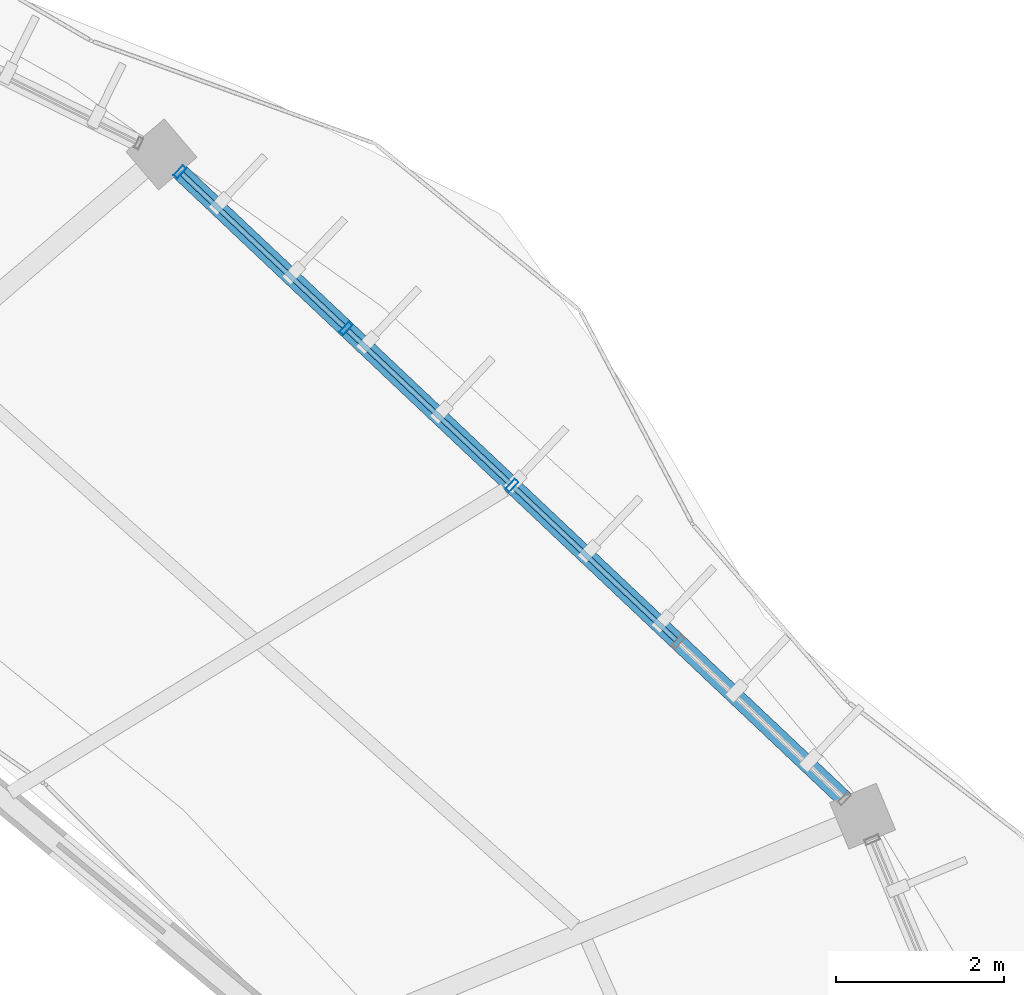
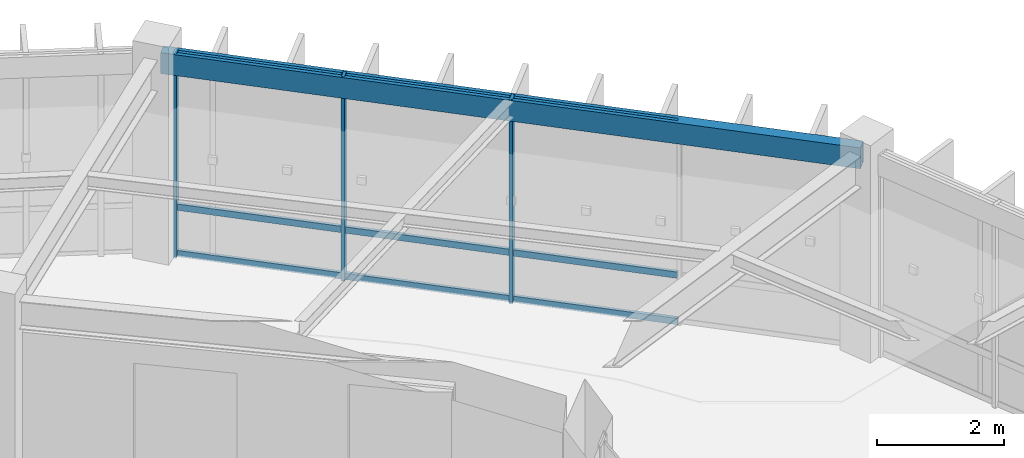
# One storey, part 61 of 83: 12 members, 1 beam, 1 element without a shape of its own.
"""IFC4 building model written with IfcOpenShell, lengths in metres."""

from ifc_helpers import new_model, si_unit, direction, frame, origin, origin_2d, place, context, subcontext, project, spatial, hollow_rectangle, extrude, material, material_profile, profile_set, type_object, element, aggregate, save


model = new_model("IFC4")

# Units and contexts
model_context = context("Model", 3, precision=1e-05, world=origin(), true_north=direction((0.0, 1.0)))
body_context = subcontext(model_context, "Body", "Model", "MODEL_VIEW")
ifc_project = project(units=[si_unit("LENGTHUNIT", "METRE"), si_unit("AREAUNIT", "SQUARE_METRE"), si_unit("VOLUMEUNIT", "CUBIC_METRE"), si_unit("PLANEANGLEUNIT", "RADIAN"), si_unit("MASSUNIT", "GRAM", prefix="KILO"), si_unit("THERMODYNAMICTEMPERATUREUNIT", "KELVIN"), si_unit("POWERUNIT", "WATT")], contexts=[model_context])

# Site, building, storey
site_placement = place(None, origin())
site = spatial("IfcSite", under=ifc_project, at=site_placement, CompositionType="ELEMENT")
building_placement = place(site_placement, origin())
building = spatial("IfcBuilding", under=site, at=building_placement, Name="Darbajah Civic Hall", CompositionType="ELEMENT")
storey_placement = place(building_placement, frame((0.0, 0.0, 18.0)))
storey = spatial("IfcBuildingStorey", under=building, at=storey_placement, Name="L04", CompositionType="ELEMENT", Elevation=18.0)

# Curtain wall, members
ifc_material_1 = material(Name="Anodised Bronze Aluminium and Low-E Glazing", Category="aluminium")
curtain_wall_type = type_object("IfcCurtainWallType", Name="Unitised Curtain Wall CW-63 10900x3900", PredefinedType="USERDEFINED", material=ifc_material_1)
curtain_wall_placement = place(storey_placement, origin())
curtain_wall = element("IfcCurtainWall", 1, at=curtain_wall_placement, inside=storey, type_object=curtain_wall_type, Name="L04 unitised curtain wall CW-V1O-L04-01", ObjectType="UNITISED CURTAIN WALL", PredefinedType="USERDEFINED")
ifc_material_2 = material(Name="Anodised Bronze Aluminium", Category="aluminium")
ifc_material_profile_1 = material_profile(ifc_material_2, hollow_rectangle(XDim=0.06005859375, YDim=0.159912109375, WallThickness=0.00341796875, at=origin_2d()), Name="ALU MULLION 60x160")
ifc_profile_set_1 = profile_set([ifc_material_profile_1], Name="Anodised Bronze Aluminium")
member_type_1 = type_object("IfcMemberType", Name="ALU MULLION 60x160", PredefinedType="MULLION", material=ifc_profile_set_1)
member_1_placement = place(storey_placement, frame((132.04931640625, 105.02392578125, 0.0), z_axis=(0.0, 0.0, 1.0), x_axis=(-0.727173991201, 0.686453193248, 0.0)))
member_1 = element("IfcMember", 2, at=member_1_placement, type_object=member_type_1, Name="CW-V1O-L04-01 mullion 3", PredefinedType="MULLION", context=body_context, shape_type="SweptSolid", body=[
    extrude(hollow_rectangle(XDim=0.06005859375, YDim=0.159912109375, WallThickness=0.00341796875, at=origin_2d()), origin(), (0.0, 0.0, 1.0), 3.919921875),
])
member_2_placement = place(storey_placement, frame((130.07470703125, 106.8876953125, 0.0), z_axis=(0.0, 0.0, 1.0), x_axis=(-0.727173991201, 0.686453193248, 0.0)))
member_2 = element("IfcMember", 3, at=member_2_placement, type_object=member_type_1, Name="CW-V1O-L04-01 mullion 4", PredefinedType="MULLION", context=body_context, shape_type="SweptSolid", body=[
    extrude(hollow_rectangle(XDim=0.06005859375, YDim=0.159912109375, WallThickness=0.00341796875, at=origin_2d()), origin(), (0.0, 0.0, 1.0), 3.919921875),
])
member_3_placement = place(storey_placement, frame((128.100341796875, 108.75146484375, 0.0), z_axis=(0.0, 0.0, 1.0), x_axis=(-0.727173991201, 0.686453193248, 0.0)))
member_3 = element("IfcMember", 4, at=member_3_placement, type_object=member_type_1, Name="CW-V1O-L04-01 mullion 5", PredefinedType="MULLION", context=body_context, shape_type="SweptSolid", body=[
    extrude(hollow_rectangle(XDim=0.06005859375, YDim=0.159912109375, WallThickness=0.00341796875, at=origin_2d()), origin(), (0.0, 0.0, 1.0), 3.919921875),
])
ifc_material_profile_2 = material_profile(ifc_material_2, hollow_rectangle(XDim=0.06005859375, YDim=0.1201171875, WallThickness=0.003173828125, at=origin_2d()), Name="ALU TRANSOM 60x120")
ifc_profile_set_2 = profile_set([ifc_material_profile_2], Name="Anodised Bronze Aluminium")
member_type_2 = type_object("IfcMemberType", Name="ALU TRANSOM 60x120", PredefinedType="USERDEFINED", material=ifc_profile_set_2)
member_4_placement = place(storey_placement, frame((133.998291015625, 103.18408203125, 0.06005859375), z_axis=(-0.727164143613, 0.68646362485, 0.0), x_axis=(-0.68646362485, -0.727164143613, 0.0)))
member_4 = element("IfcMember", 5, at=member_4_placement, type_object=member_type_2, Name="CW-V1O-L04-01 transom 2.1", ObjectType="TRANSOM", PredefinedType="USERDEFINED", context=body_context, shape_type="SweptSolid", body=[
    extrude(hollow_rectangle(XDim=0.06005859375, YDim=0.1201171875, WallThickness=0.003173828125, at=origin_2d()), origin(), (0.0, 0.0, 1.0), 2.645263671875),
])
member_5_placement = place(storey_placement, frame((133.998291015625, 103.18408203125, 0.949951171875), z_axis=(-0.727164143613, 0.68646362485, 0.0), x_axis=(-0.68646362485, -0.727164143613, 0.0)))
member_5 = element("IfcMember", 6, at=member_5_placement, type_object=member_type_2, Name="CW-V1O-L04-01 transom 2.2", ObjectType="TRANSOM", PredefinedType="USERDEFINED", context=body_context, shape_type="SweptSolid", body=[
    extrude(hollow_rectangle(XDim=0.06005859375, YDim=0.1201171875, WallThickness=0.003173828125, at=origin_2d()), origin(), (0.0, 0.0, 1.0), 2.645263671875),
])
member_6_placement = place(storey_placement, frame((133.998291015625, 103.18408203125, 3.860107421875), z_axis=(-0.727164143613, 0.68646362485, 0.0), x_axis=(-0.68646362485, -0.727164143613, 0.0)))
member_6 = element("IfcMember", 7, at=member_6_placement, type_object=member_type_2, Name="CW-V1O-L04-01 transom 2.3", ObjectType="TRANSOM", PredefinedType="USERDEFINED", context=body_context, shape_type="SweptSolid", body=[
    extrude(hollow_rectangle(XDim=0.06005859375, YDim=0.1201171875, WallThickness=0.003173828125, at=origin_2d()), origin(), (0.0, 0.0, 1.0), 2.645263671875),
])
member_7_placement = place(storey_placement, frame((132.023681640625, 105.048095703125, 0.06005859375), z_axis=(-0.727166722514, 0.686460893036, 0.0), x_axis=(-0.686460893036, -0.727166722514, 0.0)))
member_7 = element("IfcMember", 8, at=member_7_placement, type_object=member_type_2, Name="CW-V1O-L04-01 transom 3.1", ObjectType="TRANSOM", PredefinedType="USERDEFINED", context=body_context, shape_type="SweptSolid", body=[
    extrude(hollow_rectangle(XDim=0.06005859375, YDim=0.1201171875, WallThickness=0.003173828125, at=origin_2d()), origin(), (0.0, 0.0, 1.0), 2.64501953125),
])
member_8_placement = place(storey_placement, frame((132.023681640625, 105.048095703125, 0.949951171875), z_axis=(-0.727166722514, 0.686460893036, 0.0), x_axis=(-0.686460893036, -0.727166722514, 0.0)))
member_8 = element("IfcMember", 9, at=member_8_placement, type_object=member_type_2, Name="CW-V1O-L04-01 transom 3.2", ObjectType="TRANSOM", PredefinedType="USERDEFINED", context=body_context, shape_type="SweptSolid", body=[
    extrude(hollow_rectangle(XDim=0.06005859375, YDim=0.1201171875, WallThickness=0.003173828125, at=origin_2d()), origin(), (0.0, 0.0, 1.0), 2.64501953125),
])
member_9_placement = place(storey_placement, frame((132.023681640625, 105.048095703125, 3.860107421875), z_axis=(-0.727166722514, 0.686460893036, 0.0), x_axis=(-0.686460893036, -0.727166722514, 0.0)))
member_9 = element("IfcMember", 10, at=member_9_placement, type_object=member_type_2, Name="CW-V1O-L04-01 transom 3.3", ObjectType="TRANSOM", PredefinedType="USERDEFINED", context=body_context, shape_type="SweptSolid", body=[
    extrude(hollow_rectangle(XDim=0.06005859375, YDim=0.1201171875, WallThickness=0.003173828125, at=origin_2d()), origin(), (0.0, 0.0, 1.0), 2.64501953125),
])
member_10_placement = place(storey_placement, frame((130.04931640625, 106.91162109375, 0.06005859375), z_axis=(-0.727210214166, 0.686414819488, 0.0), x_axis=(-0.686414819488, -0.727210214166, 0.0)))
member_10 = element("IfcMember", 11, at=member_10_placement, type_object=member_type_2, Name="CW-V1O-L04-01 transom 4.1", ObjectType="TRANSOM", PredefinedType="USERDEFINED", context=body_context, shape_type="SweptSolid", body=[
    extrude(hollow_rectangle(XDim=0.06005859375, YDim=0.1201171875, WallThickness=0.003173828125, at=origin_2d()), origin(), (0.0, 0.0, 1.0), 2.645263671875),
])
member_11_placement = place(storey_placement, frame((130.04931640625, 106.91162109375, 0.949951171875), z_axis=(-0.727210214166, 0.686414819488, 0.0), x_axis=(-0.686414819488, -0.727210214166, 0.0)))
member_11 = element("IfcMember", 12, at=member_11_placement, type_object=member_type_2, Name="CW-V1O-L04-01 transom 4.2", ObjectType="TRANSOM", PredefinedType="USERDEFINED", context=body_context, shape_type="SweptSolid", body=[
    extrude(hollow_rectangle(XDim=0.06005859375, YDim=0.1201171875, WallThickness=0.003173828125, at=origin_2d()), origin(), (0.0, 0.0, 1.0), 2.645263671875),
])
member_12_placement = place(storey_placement, frame((130.04931640625, 106.91162109375, 3.860107421875), z_axis=(-0.727210214166, 0.686414819488, 0.0), x_axis=(-0.686414819488, -0.727210214166, 0.0)))
member_12 = element("IfcMember", 13, at=member_12_placement, type_object=member_type_2, Name="CW-V1O-L04-01 transom 4.3", ObjectType="TRANSOM", PredefinedType="USERDEFINED", context=body_context, shape_type="SweptSolid", body=[
    extrude(hollow_rectangle(XDim=0.06005859375, YDim=0.1201171875, WallThickness=0.003173828125, at=origin_2d()), origin(), (0.0, 0.0, 1.0), 2.645263671875),
])
aggregate(curtain_wall, [member_1, member_2, member_3, member_4, member_5, member_6, member_7, member_8, member_9, member_10, member_11, member_12])

# Beam
ifc_material_3 = material(Name="Steel S355JR", Category="steel")
ifc_material_profile_3 = material_profile(ifc_material_3, hollow_rectangle(XDim=0.199951171875, YDim=0.39990234375, WallThickness=0.013916015625, at=origin_2d()), Name="RHS 400x200x14")
ifc_profile_set_3 = profile_set([ifc_material_profile_3], Name="Steel S355JR")
beam_type = type_object("IfcBeamType", Name="RHS 400x200x14", PredefinedType="SPANDREL", material=ifc_profile_set_3)
beam_placement = place(storey_placement, frame((136.15966796875, 101.14404296875, 3.719970703125), z_axis=(-0.727199990638, 0.686425650465, 0.0), x_axis=(-0.686425650465, -0.727199990638, 0.0)))
element("IfcBeam", 14, at=beam_placement, inside=storey, type_object=beam_type, Name="L04 beam SP-RHS400", PredefinedType="SPANDREL", context=body_context, shape_type="SweptSolid", body=[
    extrude(hollow_rectangle(XDim=0.199951171875, YDim=0.39990234375, WallThickness=0.013916015625, at=origin_2d()), origin(), (0.0, 0.0, 1.0), 11.3046875),
])

save(model, "model.ifc")
